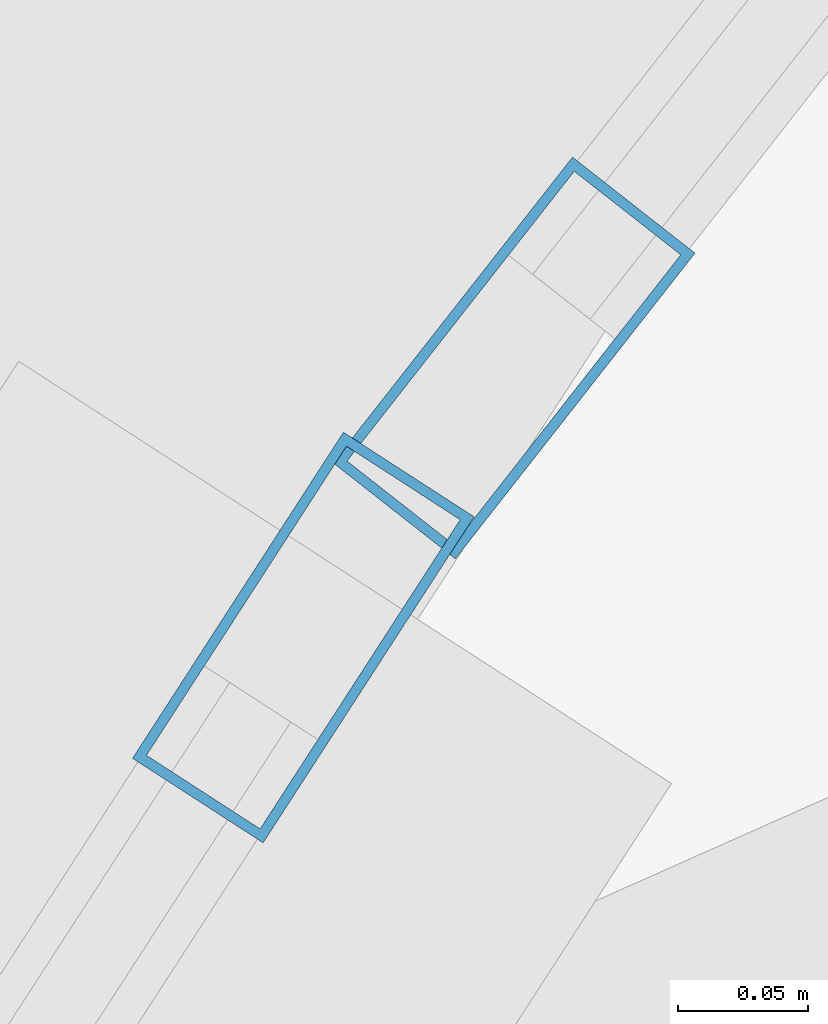
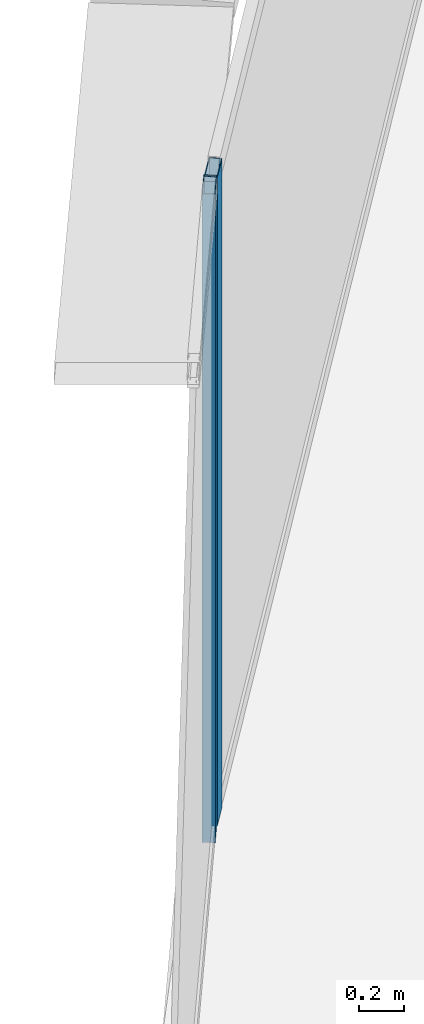
# One storey, part 18 of 40: 2 members, 2 elements without a shape of their own.
"""IFC4 building model written with IfcOpenShell, lengths in metres."""

import ifcopenshell
import ifcopenshell.guid

model = None  # the IFC model being written
_history = None  # IfcOwnerHistory: only IFC2X3 demands one
_inside = {}  # id of a spatial element -> (the spatial element, [elements in it])
_under = {}  # id of a project, library or spatial element -> (it, [spatial elements below it])
_declared = {}  # id of a project -> (the project, [libraries it declares])
_typed = {}  # id of a type object -> (the type object, [elements of that type])
_made_of = {}  # id of a material, layer set ... -> (it, [elements and type objects made of it])


def new_model(schema):
    """Start an empty IFC model of exactly this schema.

    Asked for "IFC4X3", IfcOpenShell would pick the latest addendum, in which some entities
    have other attributes; the version numbers below select the first issue.
    IFC2X3 requires an IfcOwnerHistory on every rooted entity: one is made here for all.
    """
    global model, _history
    if schema == "IFC4X3":
        model = ifcopenshell.file(schema_version=(4, 3, 0, 0))
    else:
        model = ifcopenshell.file(schema=schema)
    _inside.clear()
    _under.clear()
    _declared.clear()
    _typed.clear()
    _made_of.clear()
    _history = None
    if model.schema == "IFC2X3":
        org = make("IfcOrganization", Name="unknown")
        user = make(
            "IfcPersonAndOrganization",
            ThePerson=make("IfcPerson", FamilyName="unknown"),
            TheOrganization=org,
        )
        app = make(
            "IfcApplication",
            ApplicationDeveloper=org,
            Version="unknown",
            ApplicationFullName="unknown",
            ApplicationIdentifier="unknown",
        )
        _history = make(
            "IfcOwnerHistory",
            OwningUser=user,
            OwningApplication=app,
            ChangeAction="ADDED",
            CreationDate=0,
        )
    return model


def make(cls, **values):
    """One entity of the class cls with the attributes given. An attribute that is None is left unset."""
    return model.create_entity(
        cls, **{name: value for name, value in values.items() if value is not None}
    )


def rooted(cls, **values):
    """An entity with a GlobalId (a new one), such as an element, a storey or a relation."""
    return make(cls, GlobalId=ifcopenshell.guid.new(), OwnerHistory=_history, **values)


def si_unit(unit_type, name, prefix=None):
    """IfcSIUnit, for example si_unit("LENGTHUNIT", "METRE", prefix="MILLI")."""
    return make("IfcSIUnit", UnitType=unit_type, Prefix=prefix, Name=name)


def assignment(units):
    """IfcUnitAssignment: the units of a project."""
    return None if units is None else make("IfcUnitAssignment", Units=units)


def point(xyz):
    """IfcCartesianPoint."""
    return None if xyz is None else make("IfcCartesianPoint", Coordinates=xyz)


def direction(xyz):
    """IfcDirection."""
    return None if xyz is None else make("IfcDirection", DirectionRatios=xyz)


def frame(location, z_axis=None, x_axis=None):
    """IfcAxis2Placement3D, a coordinate frame: its origin and axes. An axis left out is left unset."""
    return make(
        "IfcAxis2Placement3D",
        Location=point(location),
        Axis=direction(z_axis),
        RefDirection=direction(x_axis),
    )


def frame_2d(location, x_axis=None):
    """IfcAxis2Placement2D, a coordinate frame in the plane: its origin and x axis."""
    return make(
        "IfcAxis2Placement2D", Location=point(location), RefDirection=direction(x_axis)
    )


def origin():
    """The frame at (0, 0, 0) with its axes left unset."""
    return frame((0.0, 0.0, 0.0))


def origin_2d():
    """The frame at (0, 0) in the plane with its x axis left unset."""
    return frame_2d((0.0, 0.0))


def place(relative_to, where):
    """IfcLocalPlacement: puts the frame where relative to a parent placement (None: the world)."""
    return make(
        "IfcLocalPlacement", PlacementRelTo=relative_to, RelativePlacement=where
    )


def context(
    kind, dimensions, precision=None, world=None, true_north=None, identifier=None
):
    """IfcGeometricRepresentationContext, for example the 3D "Model" context."""
    return make(
        "IfcGeometricRepresentationContext",
        ContextIdentifier=identifier,
        ContextType=kind,
        CoordinateSpaceDimension=dimensions,
        Precision=precision,
        WorldCoordinateSystem=world,
        TrueNorth=true_north,
    )


def subcontext(parent, identifier, kind, view, scale=None):
    """IfcGeometricRepresentationSubContext, for example "Body" below "Model"."""
    return make(
        "IfcGeometricRepresentationSubContext",
        ContextIdentifier=identifier,
        ContextType=kind,
        ParentContext=parent,
        TargetScale=scale,
        TargetView=view,
    )


def project(units=None, contexts=None):
    """IfcProject with its units and contexts."""
    return rooted(
        "IfcProject",
        Name="project",
        RepresentationContexts=contexts,
        UnitsInContext=assignment(units),
    )


def spatial(cls, under=None, at=None, **own):
    """A site, building, storey or space (cls), placed at a placement, below another one or the project."""
    s = rooted(cls, ObjectPlacement=at, **own)
    if under is not None:
        _under.setdefault(under.id(), (under, []))[1].append(s)
    return s


def profile(cls, at=None, kind="AREA", **sizes):
    """A parametric profile (cls). Its sizes go by their IFC names, for example OverallWidth=200.0."""
    return make(cls, ProfileType=kind, Position=at, **sizes)


def hollow_rectangle(**sizes):
    """IfcRectangleHollowProfileDef."""
    return profile("IfcRectangleHollowProfileDef", **sizes)


def extrude(swept, where, along, depth):
    """IfcExtrudedAreaSolid: the profile swept, set in the frame where, extruded along a direction by depth."""
    return make(
        "IfcExtrudedAreaSolid",
        SweptArea=swept,
        Position=where,
        ExtrudedDirection=direction(along),
        Depth=depth,
    )


def shape(context_of_items, identifier, shape_type, items):
    """IfcShapeRepresentation: the items that make up one representation, for example the "Body"."""
    return make(
        "IfcShapeRepresentation",
        ContextOfItems=context_of_items,
        RepresentationIdentifier=identifier,
        RepresentationType=shape_type,
        Items=items,
    )


def source(mapping_origin, context_of_items, identifier, shape_type, items):
    """IfcRepresentationMap: a shape defined once, which mapped items show again and again."""
    return make(
        "IfcRepresentationMap",
        MappingOrigin=mapping_origin,
        MappedRepresentation=shape(context_of_items, identifier, shape_type, items),
    )


def transform(
    local_origin,
    x_axis=None,
    y_axis=None,
    z_axis=None,
    scale=None,
    scale2=None,
    scale3=None,
    uniform=True,
):
    """IfcCartesianTransformationOperator3D, or its non-uniform kind. x_axis, y_axis, z_axis: its Axis1, 2, 3."""
    if uniform:
        return make(
            "IfcCartesianTransformationOperator3D",
            Axis1=direction(x_axis),
            Axis2=direction(y_axis),
            LocalOrigin=point(local_origin),
            Scale=scale,
            Axis3=direction(z_axis),
        )
    return make(
        "IfcCartesianTransformationOperator3DnonUniform",
        Axis1=direction(x_axis),
        Axis2=direction(y_axis),
        LocalOrigin=point(local_origin),
        Scale=scale,
        Axis3=direction(z_axis),
        Scale2=scale2,
        Scale3=scale3,
    )


def mapped(mapping_source, mapping_target):
    """IfcMappedItem: shows the shape of a source again, moved by a transform."""
    return make(
        "IfcMappedItem", MappingSource=mapping_source, MappingTarget=mapping_target
    )


def material(Name=None, Category=None):
    """IfcMaterial."""
    return make("IfcMaterial", Name=Name, Category=Category)


def layer(
    of_material, thickness, ventilated=None, Name=None, Category=None, Priority=None
):
    """IfcMaterialLayer: one layer of a wall or slab, of a material (None: an air gap)."""
    return make(
        "IfcMaterialLayer",
        Material=of_material,
        LayerThickness=thickness,
        IsVentilated=ventilated,
        Name=Name,
        Category=Category,
        Priority=Priority,
    )


def layer_set(layers, Name=None):
    """IfcMaterialLayerSet."""
    return make("IfcMaterialLayerSet", MaterialLayers=layers, LayerSetName=Name)


def material_profile(
    of_material, cross_section, Name=None, Category=None, Priority=None
):
    """IfcMaterialProfile: a cross section and its material."""
    return make(
        "IfcMaterialProfile",
        Name=Name,
        Material=of_material,
        Profile=cross_section,
        Priority=Priority,
        Category=Category,
    )


def profile_set(profiles, Name=None, composite=None):
    """IfcMaterialProfileSet."""
    return make(
        "IfcMaterialProfileSet",
        Name=Name,
        MaterialProfiles=profiles,
        CompositeProfile=composite,
    )


def made_of(thing, what):
    """Note that an element or type object is made of a material, layer set ...; save() writes the relation."""
    if what is not None:
        _made_of.setdefault(what.id(), (what, []))[1].append(thing)
    return thing


def type_object(cls, material=None, **own):
    """A type object (cls), such as IfcWallType, which elements share."""
    return made_of(rooted(cls, **own), material)


def element(
    cls,
    number,
    at=None,
    inside=None,
    cuts=None,
    type_object=None,
    material=None,
    context=None,
    identifier="Body",
    shape_type=None,
    held_by="IfcProductDefinitionShape",
    body=None,
    shapes=None,
    **own,
):
    """One element of the class cls, such as IfcWall. Its Tag is "e" and its number.

    at: its placement. inside: the storey or other place that contains it. cuts: it is an
    opening in that element (IfcRelVoidsElement). A single representation is given by context,
    identifier, shape_type and body (its items); several are given by shapes. held_by: the class
    of the entity that holds the representations. save() writes the other relations.
    """
    e = rooted(cls, Tag="e%d" % number, ObjectPlacement=at, **own)
    if body is not None:
        shapes = [shape(context, identifier, shape_type, body)]
    if shapes is not None:
        e.Representation = make(held_by, Representations=shapes)
    if inside is not None:
        _inside.setdefault(inside.id(), (inside, []))[1].append(e)
    if cuts is not None:
        rooted(
            "IfcRelVoidsElement", RelatingBuildingElement=cuts, RelatedOpeningElement=e
        )
    if type_object is not None:
        _typed.setdefault(type_object.id(), (type_object, []))[1].append(e)
    return made_of(e, material)


def aggregate(whole, parts):
    """IfcRelAggregates: a whole, such as a stair, and the parts it consists of."""
    return rooted("IfcRelAggregates", RelatingObject=whole, RelatedObjects=parts)


def save(model, path):
    """Write the relations noted so far, then the file.

    IfcRelAggregates (storeys below a building ...), IfcRelContainedInSpatialStructure (elements
    in a storey), IfcRelDefinesByType, IfcRelAssociatesMaterial and IfcRelDeclares: one each for
    every whole, place, type object, material and project.
    """
    for whole, parts in _under.values():
        aggregate(whole, parts)
    for where, things in _inside.values():
        rooted(
            "IfcRelContainedInSpatialStructure",
            RelatedElements=things,
            RelatingStructure=where,
        )
    for kind, things in _typed.values():
        rooted("IfcRelDefinesByType", RelatedObjects=things, RelatingType=kind)
    for what, things in _made_of.values():
        rooted("IfcRelAssociatesMaterial", RelatedObjects=things, RelatingMaterial=what)
    for by, libraries in _declared.values():
        rooted("IfcRelDeclares", RelatingContext=by, RelatedDefinitions=libraries)
    model.write(path)


model = new_model("IFC4")

# Units and contexts
model_context = context("Model", 3, precision=1e-05, world=origin(), true_north=direction((0.0, 1.0)))
body_context = subcontext(model_context, "Body", "Model", "MODEL_VIEW")
ifc_project = project(units=[si_unit("LENGTHUNIT", "METRE"), si_unit("AREAUNIT", "SQUARE_METRE"), si_unit("VOLUMEUNIT", "CUBIC_METRE"), si_unit("PLANEANGLEUNIT", "RADIAN"), si_unit("MASSUNIT", "GRAM", prefix="KILO"), si_unit("THERMODYNAMICTEMPERATUREUNIT", "KELVIN"), si_unit("POWERUNIT", "WATT")], contexts=[model_context])

# Site, building, storey
site_placement = place(None, origin())
site = spatial("IfcSite", under=ifc_project, at=site_placement, CompositionType="ELEMENT")
building_placement = place(site_placement, origin())
building = spatial("IfcBuilding", under=site, at=building_placement, Name="Yunzhuo Pagoda Commons", CompositionType="ELEMENT")
storey_placement = place(building_placement, frame((0.0, 0.0, 184.760009765625)))
storey = spatial("IfcBuildingStorey", under=building, at=storey_placement, Name="L46", CompositionType="ELEMENT", Elevation=184.760009765625)

# Curtain wall, member
ifc_material = material(Name="Anodized aluminium 6063-T6", Category="aluminium")
ifc_layer = layer(ifc_material, 0.14990234375)
ifc_layer_set = layer_set([ifc_layer], Name="Anodized aluminium 6063-T6")
curtain_wall_type = type_object("IfcCurtainWallType", Name="CW-MID Mid-Zone Ribbon Curtain Wall", PredefinedType="NOTDEFINED", material=ifc_layer_set)
curtain_wall_1_placement = place(storey_placement, origin())
curtain_wall_1 = element("IfcCurtainWall", 1, at=curtain_wall_1_placement, inside=storey, type_object=curtain_wall_type, Name="L46 curtain wall CW-L46-F3B2", PredefinedType="NOTDEFINED")
ifc_material_profile = material_profile(ifc_material, hollow_rectangle(XDim=0.06005859375, YDim=0.14990234375, WallThickness=0.00390625, at=origin_2d()), Name="Anodized aluminium 6063-T6")
ifc_profile_set = profile_set([ifc_material_profile], Name="Anodized aluminium 6063-T6")
member_type = type_object("IfcMemberType", Name="CW-MID-M Mullion RHS 150x60x4", PredefinedType="MULLION", material=ifc_profile_set)
shared_shape = source(origin(), body_context, "Body", "SweptSolid", [
    extrude(hollow_rectangle(XDim=0.06005859375, YDim=0.14990234375, WallThickness=0.00390625, at=origin_2d()), origin(), (0.0, 0.0, 1.0), 3.5400390625),
])
member_1_placement = place(storey_placement, frame((32.284423828125, 68.93603515625, 0.0), z_axis=(0.0, 0.0, 1.0), x_axis=(0.839626850374, -0.543163651335, 0.0)))
member_1 = element("IfcMember", 2, at=member_1_placement, type_object=member_type, Name="CW mullion 1", PredefinedType="MULLION", context=body_context, shape_type="MappedRepresentation", body=[
    mapped(shared_shape, transform((0.0, 0.0, 0.0), scale=1.0)),
])
aggregate(curtain_wall_1, [member_1])

curtain_wall_2_placement = place(storey_placement, origin())
curtain_wall_2 = element("IfcCurtainWall", 3, at=curtain_wall_2_placement, inside=storey, type_object=curtain_wall_type, Name="L46 curtain wall CW-L46-F3B1", PredefinedType="NOTDEFINED")
member_2_placement = place(storey_placement, frame((32.36572265625, 69.0439453125, 0.0), z_axis=(0.0, 0.0, 1.0), x_axis=(0.786950244655, -0.617016460427, 0.0)))
member_2 = element("IfcMember", 4, at=member_2_placement, type_object=member_type, Name="CW mullion 2", PredefinedType="MULLION", context=body_context, shape_type="MappedRepresentation", body=[
    mapped(shared_shape, transform((0.0, 0.0, 0.0), scale=1.0)),
])
aggregate(curtain_wall_2, [member_2])

save(model, "model.ifc")
